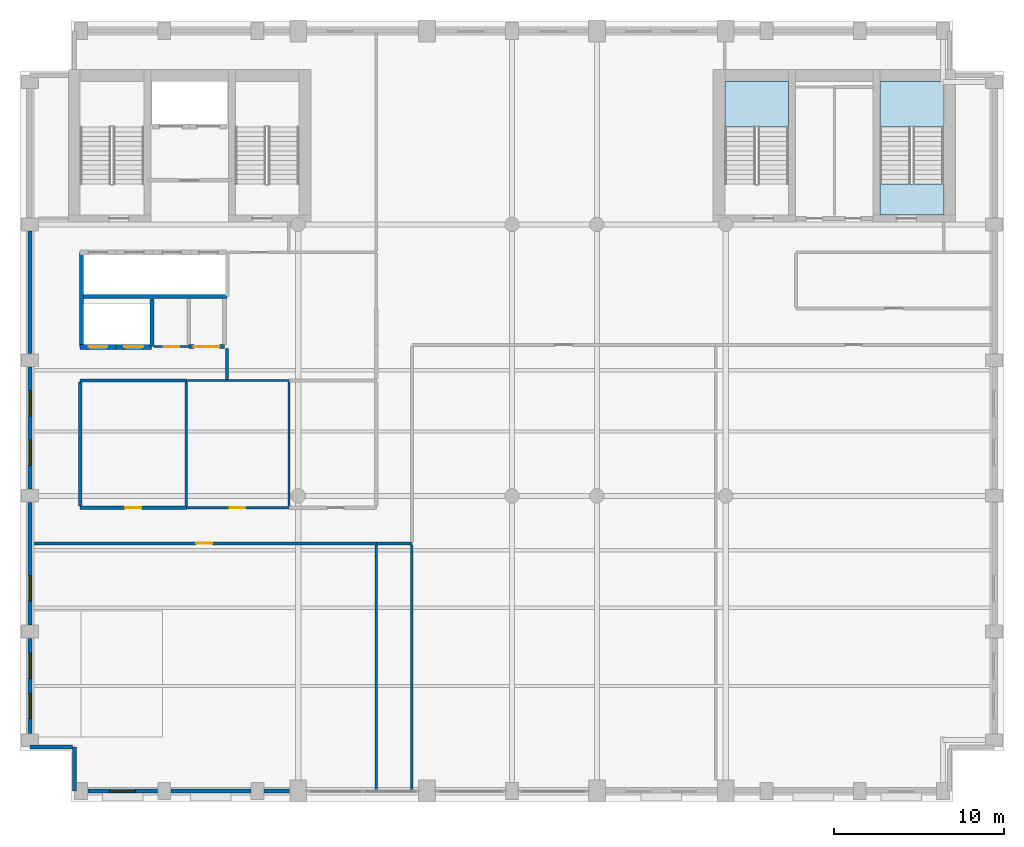
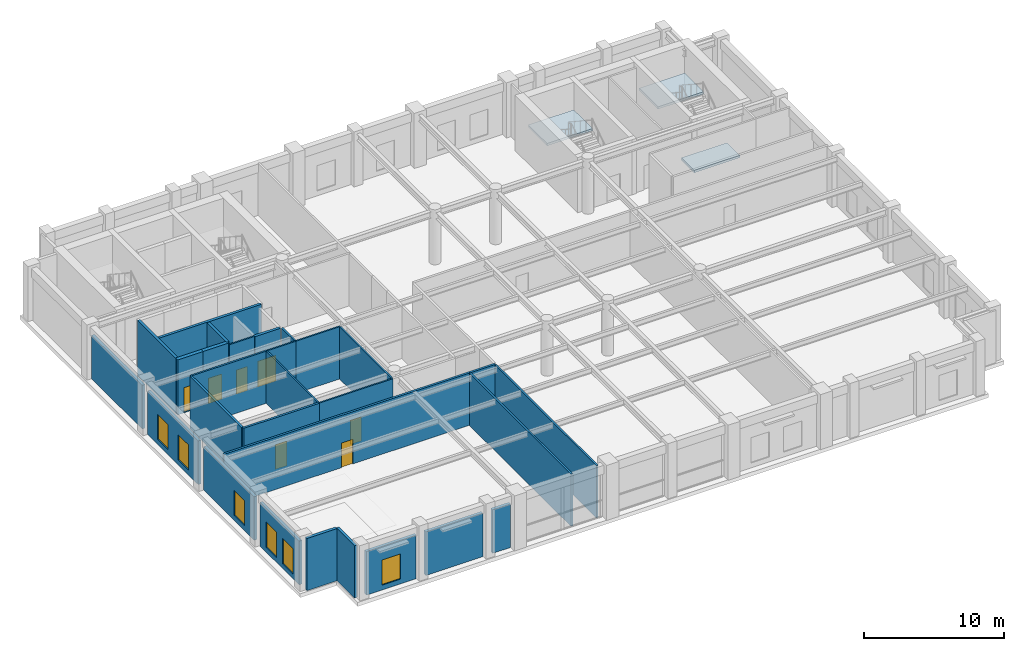
# One storey, part 4 of 10: 29 walls, 7 doors, 6 windows, 3 slabs, 13 openings, 2 elements without a shape of their own.
"""IFC4 building model written with IfcOpenShell, lengths in metres."""

from ifc_helpers import new_model, si_unit, direction, frame, frame_2d, origin, place, context, subcontext, project, spatial, polyline, rectangle, outline, extrude, material, layer, layer_set, type_object, element, fill, aggregate, save


model = new_model("IFC4")

# Units and contexts
model_context = context("Model", 3, precision=1e-05, world=origin(), true_north=direction((0.0, 1.0)))
body_context = subcontext(model_context, "Body", "Model", "MODEL_VIEW")
ifc_project = project(units=[si_unit("LENGTHUNIT", "METRE"), si_unit("AREAUNIT", "SQUARE_METRE"), si_unit("VOLUMEUNIT", "CUBIC_METRE"), si_unit("PLANEANGLEUNIT", "RADIAN"), si_unit("MASSUNIT", "GRAM", prefix="KILO")], contexts=[model_context])

# Site, building, storey
site_placement = place(None, origin())
site = spatial("IfcSite", under=ifc_project, at=site_placement, CompositionType="ELEMENT")
building_placement = place(site_placement, origin())
building = spatial("IfcBuilding", under=site, at=building_placement, Name="Sulina Concourse Tower", CompositionType="ELEMENT")
storey_placement = place(building_placement, frame((0.0, 0.0, 243.800048828125)))
storey = spatial("IfcBuildingStorey", under=building, at=storey_placement, Name="L59", CompositionType="ELEMENT", Elevation=243.800048828125)

# Slab
ifc_material_1 = material(Name="Concrete C50/60", Category="concrete")
ifc_layer_1 = layer(ifc_material_1, 0.199951171875)
ifc_layer_set_1 = layer_set([ifc_layer_1], Name="Concrete C50/60")
slab_type = type_object("IfcSlabType", Name="Primary Core Stair Landing Slab 200mm", PredefinedType="LANDING", material=ifc_layer_set_1)
slab_1_placement = place(storey_placement, frame((0.0, 0.0, -0.199951171875)))
element("IfcSlab", 1, at=slab_1_placement, inside=storey, type_object=slab_type, Name="L59 ST-4 floor landing slab", PredefinedType="LANDING", context=body_context, shape_type="SweptSolid", body=[
    extrude(outline(polyline([(54.449951171875, 34.550048828125), (54.449951171875, 36.375), (50.68994140625, 36.375), (50.68994140625, 34.550048828125), (54.449951171875, 34.550048828125)])), origin(), (0.0, 0.0, 1.0), 0.199951171875),
])

# Stair, slab
ifc_material_2 = material(Name="Concrete C50/60", Category="concrete")
stair_type = type_object("IfcStairType", Name="Portal & Podium Core Exit Stair 1820mm", PredefinedType="HALF_TURN_STAIR", material=ifc_material_2)
stair_1_placement = place(storey_placement, origin())
stair_1 = element("IfcStair", 2, at=stair_1_placement, inside=storey, type_object=stair_type, Name="L59 ST-3", PredefinedType="HALF_TURN_STAIR")
slab_2_placement = place(storey_placement, frame((0.0, 0.0, 2.199951171875)))
slab_2 = element("IfcSlab", 3, at=slab_2_placement, type_object=slab_type, Name="ST-3 landing 1", PredefinedType="LANDING", context=body_context, shape_type="SweptSolid", body=[
    extrude(outline(polyline([(45.304931640625, 39.735107421875), (45.304931640625, 42.425048828125), (41.554931640625, 42.425048828125), (41.554931640625, 39.735107421875), (45.304931640625, 39.735107421875)])), origin(), (0.0, 0.0, 1.0), 0.199951171875),
])
aggregate(stair_1, [slab_2])

stair_2_placement = place(storey_placement, origin())
stair_2 = element("IfcStair", 4, at=stair_2_placement, inside=storey, type_object=stair_type, Name="L59 ST-4", PredefinedType="HALF_TURN_STAIR")
slab_3_placement = place(storey_placement, frame((0.0, 0.0, 2.199951171875)))
slab_3 = element("IfcSlab", 5, at=slab_3_placement, type_object=slab_type, Name="ST-4 landing 1", PredefinedType="LANDING", context=body_context, shape_type="SweptSolid", body=[
    extrude(outline(polyline([(54.445068359375, 39.735107421875), (54.445068359375, 42.425048828125), (50.695068359375, 42.425048828125), (50.695068359375, 39.735107421875), (54.445068359375, 39.735107421875)])), origin(), (0.0, 0.0, 1.0), 0.199951171875),
])
aggregate(stair_2, [slab_3])

# Walls
ifc_material_3 = material(Name="Concrete C50/60", Category="concrete")
ifc_layer_2 = layer(ifc_material_3, 0.219970703125)
ifc_layer_set_2 = layer_set([ifc_layer_2], Name="Concrete C50/60")
wall_type_1 = type_object("IfcWallType", Name="Core Lift Hoistway Divider Wall 220mm", PredefinedType="SOLIDWALL", material=ifc_layer_set_2)
wall_1_placement = place(storey_placement, frame((3.550048828125, 29.75, 0.0), z_axis=(0.0, 0.0, 1.0), x_axis=(1.0, 0.0, 0.0)))
element("IfcWall", 6, at=wall_1_placement, inside=storey, type_object=wall_type_1, Name="L59 shaft divider wall HW-LP3-S", PredefinedType="SOLIDWALL", context=body_context, shape_type="SweptSolid", body=[
    extrude(rectangle(XDim=8.64990234375, YDim=0.219970703125, at=frame_2d((4.324951171875, 0.0))), origin(), (0.0, 0.0, 1.0), 4.800048828125),
])
wall_2_placement = place(storey_placement, frame((3.6298828125, 26.800048828125, 0.0), z_axis=(0.0, 0.0, 1.0), x_axis=(0.0, 1.0, 0.0)))
element("IfcWall", 7, at=wall_2_placement, inside=storey, type_object=wall_type_1, Name="L59 shaft divider wall HW-LP3-W", PredefinedType="SOLIDWALL", context=body_context, shape_type="SweptSolid", body=[
    extrude(rectangle(XDim=5.550048828125, YDim=0.219970703125, at=frame_2d((2.77490234375, 0.0))), origin(), (0.0, 0.0, 1.0), 4.800048828125),
])
wall_3_placement = place(storey_placement, frame((7.780029296875, 26.800048828125, 0.0), z_axis=(0.0, 0.0, 1.0), x_axis=(0.0, 1.0, 0.0)))
element("IfcWall", 8, at=wall_3_placement, inside=storey, type_object=wall_type_1, Name="L59 shaft divider wall HW-EXP-E", PredefinedType="SOLIDWALL", context=body_context, shape_type="SweptSolid", body=[
    extrude(rectangle(XDim=2.800048828125, YDim=0.219970703125, at=frame_2d((1.39990234375, 0.0))), origin(), (0.0, 0.0, 1.0), 4.800048828125),
])

# Wall, opening, door
ifc_material_4 = material(Name="Concrete C50/60", Category="concrete")
ifc_layer_3 = layer(ifc_material_4, 0.300048828125)
ifc_layer_set_3 = layer_set([ifc_layer_3], Name="Concrete C50/60")
wall_type_2 = type_object("IfcWallType", Name="Core Lift Hoistway Wall 300mm", PredefinedType="SOLIDWALL", material=ifc_layer_set_3)
wall_4_placement = place(storey_placement, frame((5.64990234375, 26.780029296875, 0.0), z_axis=(0.0, 0.0, 1.0), x_axis=(-1.0, 0.0, 0.0)))
wall_4 = element("IfcWall", 9, at=wall_4_placement, inside=storey, type_object=wall_type_2, Name="L59 hoistway enclosure wall EXP-1", PredefinedType="SOLIDWALL", context=body_context, shape_type="SweptSolid", body=[
    extrude(rectangle(XDim=2.099853515625, YDim=0.300048828125, at=frame_2d((1.0498046875, 0.0))), origin(), (0.0, 0.0, 1.0), 4.800048828125),
])
opening_1_placement = place(wall_4_placement, frame((0.5, 0.0, 0.0)))
opening_1 = element("IfcOpeningElement", 10, at=opening_1_placement, cuts=wall_4, Name="Opening LD-01", PredefinedType="OPENING", context=body_context, shape_type="SweptSolid", body=[
    extrude(rectangle(XDim=1.10009765625, YDim=2.199951171875, at=frame_2d((0.550048828125, 1.10009765625))), frame((0.0, 0.159912109375, 0.0), z_axis=(0.0, -1.0, 0.0), x_axis=(1.0, 0.0, 0.0)), (0.0, 0.0, 1.0), 0.320068359375),
])
ifc_material_5 = material(Name="Stainless steel lift landing door", Category="steel")
ifc_layer_4 = layer(ifc_material_5, 0.050048828125)
ifc_layer_set_4 = layer_set([ifc_layer_4], Name="Stainless steel lift landing door")
door_type_1 = type_object("IfcDoorType", Name="Passenger Lift Sliding Landing Door 1100x2200", OperationType="SLIDING_TO_LEFT", PredefinedType="DOOR", material=ifc_layer_set_4)
door_1_placement = place(opening_1_placement, origin())
door_1 = element("IfcDoor", 11, at=door_1_placement, inside=storey, type_object=door_type_1, Name="L59 lift landing sliding door EXP-1", OperationType="SLIDING_TO_LEFT", OverallHeight=2.199951171875, OverallWidth=1.10009765625, PredefinedType="DOOR", context=body_context, shape_type="SweptSolid", body=[
    extrude(rectangle(XDim=1.10009765625, YDim=2.199951171875, at=frame_2d((0.550048828125, 1.10009765625))), frame((0.0, 0.02490234375, 0.0), z_axis=(0.0, -1.0, 0.0), x_axis=(1.0, 0.0, 0.0)), (0.0, 0.0, 1.0), 0.050048828125),
])
fill(opening_1, door_1)

wall_5_placement = place(storey_placement, frame((7.75, 26.780029296875, 0.0), z_axis=(0.0, 0.0, 1.0), x_axis=(-1.0, 0.0, 0.0)))
wall_5 = element("IfcWall", 12, at=wall_5_placement, inside=storey, type_object=wall_type_2, Name="L59 hoistway enclosure wall EXP-2", PredefinedType="SOLIDWALL", context=body_context, shape_type="SweptSolid", body=[
    extrude(rectangle(XDim=2.10009765625, YDim=0.300048828125, at=frame_2d((1.050048828125, 0.0))), origin(), (0.0, 0.0, 1.0), 4.800048828125),
])
opening_2_placement = place(wall_5_placement, frame((0.5, 0.0, 0.0)))
opening_2 = element("IfcOpeningElement", 13, at=opening_2_placement, cuts=wall_5, Name="Opening LD-01", PredefinedType="OPENING", context=body_context, shape_type="SweptSolid", body=[
    extrude(rectangle(XDim=1.10009765625, YDim=2.199951171875, at=frame_2d((0.550048828125, 1.10009765625))), frame((0.0, 0.159912109375, 0.0), z_axis=(0.0, -1.0, 0.0), x_axis=(1.0, 0.0, 0.0)), (0.0, 0.0, 1.0), 0.320068359375),
])
door_2_placement = place(opening_2_placement, origin())
door_2 = element("IfcDoor", 14, at=door_2_placement, inside=storey, type_object=door_type_1, Name="L59 lift landing sliding door EXP-2", OperationType="SLIDING_TO_RIGHT", OverallHeight=2.199951171875, OverallWidth=1.10009765625, PredefinedType="DOOR", context=body_context, shape_type="SweptSolid", body=[
    extrude(rectangle(XDim=1.10009765625, YDim=2.199951171875, at=frame_2d((0.550048828125, 1.10009765625))), frame((0.0, 0.02490234375, 0.0), z_axis=(0.0, -1.0, 0.0), x_axis=(1.0, 0.0, 0.0)), (0.0, 0.0, 1.0), 0.050048828125),
])
fill(opening_2, door_2)

# Wall, opening, window
ifc_material_6 = material(Name="Precast concrete C50/60", Category="concrete")
ifc_layer_5 = layer(ifc_material_6, 0.239990234375)
ifc_layer_set_5 = layer_set([ifc_layer_5], Name="Precast concrete C50/60")
wall_type_3 = type_object("IfcWallType", Name="Crown Precast Masonry-Frame Facade Wall 240mm", PredefinedType="SOLIDWALL", material=ifc_layer_set_5)
wall_6_placement = place(storey_placement, frame((8.10498046875, 0.60009765625, 0.0), z_axis=(0.0, 0.0, 1.0), x_axis=(-1.0, 0.0, 0.0)))
wall_6 = element("IfcWall", 15, at=wall_6_placement, inside=storey, type_object=wall_type_3, Name="L59 exterior precast wall S1", PredefinedType="SOLIDWALL", context=body_context, shape_type="SweptSolid", body=[
    extrude(rectangle(XDim=4.10986328125, YDim=0.239990234375, at=frame_2d((2.054931640625, 0.0))), origin(), (0.0, 0.0, 1.0), 3.800048828125),
])
opening_3_placement = place(wall_6_placement, frame((1.304931640625, 0.0, 0.419921875)))
opening_3 = element("IfcOpeningElement", 16, at=opening_3_placement, cuts=wall_6, Name="Opening WN-71", PredefinedType="OPENING", context=body_context, shape_type="SweptSolid", body=[
    extrude(rectangle(XDim=1.5, YDim=2.199951171875, at=frame_2d((0.75, 1.10009765625))), frame((0.0, 0.1298828125, 0.0), z_axis=(0.0, -1.0, 0.0), x_axis=(1.0, 0.0, 0.0)), (0.0, 0.0, 1.0), 0.260009765625),
])
ifc_material_7 = material(Name="Low-E solar double glazing in bronze aluminium", Category="aluminium")
window_type = type_object("IfcWindowType", Name="Punched Masonry-Frame Window 1500x2200", PartitioningType="SINGLE_PANEL", PredefinedType="WINDOW", material=ifc_material_7)
window_1_placement = place(opening_3_placement, origin())
window_1 = element("IfcWindow", 17, at=window_1_placement, inside=storey, type_object=window_type, Name="L59 punched window S1-1", OverallHeight=2.199951171875, OverallWidth=1.5, PartitioningType="SINGLE_PANEL", PredefinedType="WINDOW", context=body_context, shape_type="SweptSolid", body=[
    extrude(rectangle(XDim=1.5, YDim=2.199951171875, at=frame_2d((0.75, 1.10009765625))), frame((0.0, 0.030029296875, 0.0), z_axis=(0.0, -1.0, 0.0), x_axis=(1.0, 0.0, 0.0)), (0.0, 0.0, 1.0), 0.06005859375),
])
fill(opening_3, window_1)

# Walls
wall_7_placement = place(storey_placement, frame((13.60498046875, 0.60009765625, 0.0), z_axis=(0.0, 0.0, 1.0), x_axis=(-1.0, 0.0, 0.0)))
element("IfcWall", 18, at=wall_7_placement, inside=storey, type_object=wall_type_3, Name="L59 exterior precast wall S2", PredefinedType="SOLIDWALL", context=body_context, shape_type="SweptSolid", body=[
    extrude(rectangle(XDim=4.7099609375, YDim=0.239990234375, at=frame_2d((2.35498046875, 0.0))), origin(), (0.0, 0.0, 1.0), 3.800048828125),
])
wall_8_placement = place(storey_placement, frame((15.8798828125, 0.60009765625, 0.0), z_axis=(0.0, 0.0, 1.0), x_axis=(-1.0, 0.0, 0.0)))
element("IfcWall", 19, at=wall_8_placement, inside=storey, type_object=wall_type_3, Name="L59 exterior precast wall S3", PredefinedType="SOLIDWALL", context=body_context, shape_type="SweptSolid", body=[
    extrude(rectangle(XDim=1.48486328125, YDim=0.239990234375, at=frame_2d((0.742431640625, 0.0))), origin(), (0.0, 0.0, 1.0), 3.800048828125),
])

# Wall, openings, windows
wall_9_placement = place(storey_placement, frame((0.60009765625, 3.9951171875, 0.0), z_axis=(0.0, 0.0, 1.0), x_axis=(0.0, 1.0, 0.0)))
wall_9 = element("IfcWall", 20, at=wall_9_placement, inside=storey, type_object=wall_type_3, Name="L59 exterior precast wall W1", PredefinedType="SOLIDWALL", context=body_context, shape_type="SweptSolid", body=[
    extrude(rectangle(XDim=5.60986328125, YDim=0.239990234375, at=frame_2d((2.804931640625, 0.0))), origin(), (0.0, 0.0, 1.0), 3.800048828125),
])
opening_4_placement = place(wall_9_placement, frame((0.8701171875, 0.0, 0.419921875)))
opening_4 = element("IfcOpeningElement", 21, at=opening_4_placement, cuts=wall_9, Name="Opening WN-71", PredefinedType="OPENING", context=body_context, shape_type="SweptSolid", body=[
    extrude(rectangle(XDim=1.5, YDim=2.199951171875, at=frame_2d((0.75, 1.10009765625))), frame((0.0, 0.1298828125, 0.0), z_axis=(0.0, -1.0, 0.0), x_axis=(1.0, 0.0, 0.0)), (0.0, 0.0, 1.0), 0.260009765625),
])
opening_5_placement = place(wall_9_placement, frame((3.239990234375, 0.0, 0.419921875)))
opening_5 = element("IfcOpeningElement", 22, at=opening_5_placement, cuts=wall_9, Name="Opening WN-71", PredefinedType="OPENING", context=body_context, shape_type="SweptSolid", body=[
    extrude(rectangle(XDim=1.5, YDim=2.199951171875, at=frame_2d((0.75, 1.10009765625))), frame((0.0, 0.1298828125, 0.0), z_axis=(0.0, -1.0, 0.0), x_axis=(1.0, 0.0, 0.0)), (0.0, 0.0, 1.0), 0.260009765625),
])
window_2_placement = place(opening_4_placement, origin())
window_2 = element("IfcWindow", 23, at=window_2_placement, inside=storey, type_object=window_type, Name="L59 punched window W1-1", OverallHeight=2.199951171875, OverallWidth=1.5, PartitioningType="SINGLE_PANEL", PredefinedType="WINDOW", context=body_context, shape_type="SweptSolid", body=[
    extrude(rectangle(XDim=1.5, YDim=2.199951171875, at=frame_2d((0.75, 1.10009765625))), frame((0.0, 0.030029296875, 0.0), z_axis=(0.0, -1.0, 0.0), x_axis=(1.0, 0.0, 0.0)), (0.0, 0.0, 1.0), 0.06005859375),
])
fill(opening_4, window_2)
window_3_placement = place(opening_5_placement, origin())
window_3 = element("IfcWindow", 24, at=window_3_placement, inside=storey, type_object=window_type, Name="L59 punched window W1-2", OverallHeight=2.199951171875, OverallWidth=1.5, PartitioningType="SINGLE_PANEL", PredefinedType="WINDOW", context=body_context, shape_type="SweptSolid", body=[
    extrude(rectangle(XDim=1.5, YDim=2.199951171875, at=frame_2d((0.75, 1.10009765625))), frame((0.0, 0.030029296875, 0.0), z_axis=(0.0, -1.0, 0.0), x_axis=(1.0, 0.0, 0.0)), (0.0, 0.0, 1.0), 0.06005859375),
])
fill(opening_5, window_3)

# Wall, opening, window
wall_10_placement = place(storey_placement, frame((0.60009765625, 10.39501953125, 0.0), z_axis=(0.0, 0.0, 1.0), x_axis=(0.0, 1.0, 0.0)))
wall_10 = element("IfcWall", 25, at=wall_10_placement, inside=storey, type_object=wall_type_3, Name="L59 exterior precast wall W2", PredefinedType="SOLIDWALL", context=body_context, shape_type="SweptSolid", body=[
    extrude(rectangle(XDim=7.2099609375, YDim=0.239990234375, at=frame_2d((3.60498046875, 0.0))), origin(), (0.0, 0.0, 1.0), 3.800048828125),
])
opening_6_placement = place(wall_10_placement, frame((1.4033203125, 0.0, 0.419921875)))
opening_6 = element("IfcOpeningElement", 26, at=opening_6_placement, cuts=wall_10, Name="Opening WN-71", PredefinedType="OPENING", context=body_context, shape_type="SweptSolid", body=[
    extrude(rectangle(XDim=1.5, YDim=2.199951171875, at=frame_2d((0.75, 1.10009765625))), frame((0.0, 0.1298828125, 0.0), z_axis=(0.0, -1.0, 0.0), x_axis=(1.0, 0.0, 0.0)), (0.0, 0.0, 1.0), 0.260009765625),
])
window_4_placement = place(opening_6_placement, origin())
window_4 = element("IfcWindow", 27, at=window_4_placement, inside=storey, type_object=window_type, Name="L59 punched window W2-1", OverallHeight=2.199951171875, OverallWidth=1.5, PartitioningType="SINGLE_PANEL", PredefinedType="WINDOW", context=body_context, shape_type="SweptSolid", body=[
    extrude(rectangle(XDim=1.5, YDim=2.199951171875, at=frame_2d((0.75, 1.10009765625))), frame((0.0, 0.030029296875, 0.0), z_axis=(0.0, -1.0, 0.0), x_axis=(1.0, 0.0, 0.0)), (0.0, 0.0, 1.0), 0.06005859375),
])
fill(opening_6, window_4)

# Wall, openings, windows
wall_11_placement = place(storey_placement, frame((0.60009765625, 18.39501953125, 0.0), z_axis=(0.0, 0.0, 1.0), x_axis=(0.0, 1.0, 0.0)))
wall_11 = element("IfcWall", 28, at=wall_11_placement, inside=storey, type_object=wall_type_3, Name="L59 exterior precast wall W3", PredefinedType="SOLIDWALL", context=body_context, shape_type="SweptSolid", body=[
    extrude(rectangle(XDim=7.2099609375, YDim=0.239990234375, at=frame_2d((3.60498046875, 0.0))), origin(), (0.0, 0.0, 1.0), 3.800048828125),
])
opening_7_placement = place(wall_11_placement, frame((1.4033203125, 0.0, 0.419921875)))
opening_7 = element("IfcOpeningElement", 29, at=opening_7_placement, cuts=wall_11, Name="Opening WN-71", PredefinedType="OPENING", context=body_context, shape_type="SweptSolid", body=[
    extrude(rectangle(XDim=1.5, YDim=2.199951171875, at=frame_2d((0.75, 1.10009765625))), frame((0.0, 0.1298828125, 0.0), z_axis=(0.0, -1.0, 0.0), x_axis=(1.0, 0.0, 0.0)), (0.0, 0.0, 1.0), 0.260009765625),
])
opening_8_placement = place(wall_11_placement, frame((4.306640625, 0.0, 0.419921875)))
opening_8 = element("IfcOpeningElement", 30, at=opening_8_placement, cuts=wall_11, Name="Opening WN-71", PredefinedType="OPENING", context=body_context, shape_type="SweptSolid", body=[
    extrude(rectangle(XDim=1.5, YDim=2.199951171875, at=frame_2d((0.75, 1.10009765625))), frame((0.0, 0.1298828125, 0.0), z_axis=(0.0, -1.0, 0.0), x_axis=(1.0, 0.0, 0.0)), (0.0, 0.0, 1.0), 0.260009765625),
])
window_5_placement = place(opening_7_placement, origin())
window_5 = element("IfcWindow", 31, at=window_5_placement, inside=storey, type_object=window_type, Name="L59 punched window W3-1", OverallHeight=2.199951171875, OverallWidth=1.5, PartitioningType="SINGLE_PANEL", PredefinedType="WINDOW", context=body_context, shape_type="SweptSolid", body=[
    extrude(rectangle(XDim=1.5, YDim=2.199951171875, at=frame_2d((0.75, 1.10009765625))), frame((0.0, 0.030029296875, 0.0), z_axis=(0.0, -1.0, 0.0), x_axis=(1.0, 0.0, 0.0)), (0.0, 0.0, 1.0), 0.06005859375),
])
fill(opening_7, window_5)
window_6_placement = place(opening_8_placement, origin())
window_6 = element("IfcWindow", 32, at=window_6_placement, inside=storey, type_object=window_type, Name="L59 punched window W3-2", OverallHeight=2.199951171875, OverallWidth=1.5, PartitioningType="SINGLE_PANEL", PredefinedType="WINDOW", context=body_context, shape_type="SweptSolid", body=[
    extrude(rectangle(XDim=1.5, YDim=2.199951171875, at=frame_2d((0.75, 1.10009765625))), frame((0.0, 0.030029296875, 0.0), z_axis=(0.0, -1.0, 0.0), x_axis=(1.0, 0.0, 0.0)), (0.0, 0.0, 1.0), 0.06005859375),
])
fill(opening_8, window_6)

# Walls
wall_12_placement = place(storey_placement, frame((0.60009765625, 26.39501953125, 0.0), z_axis=(0.0, 0.0, 1.0), x_axis=(0.0, 1.0, 0.0)))
element("IfcWall", 33, at=wall_12_placement, inside=storey, type_object=wall_type_3, Name="L59 exterior precast wall W4", PredefinedType="SOLIDWALL", context=body_context, shape_type="SweptSolid", body=[
    extrude(rectangle(XDim=7.2099609375, YDim=0.239990234375, at=frame_2d((3.60498046875, 0.0))), origin(), (0.0, 0.0, 1.0), 3.800048828125),
])
wall_13_placement = place(storey_placement, frame((3.205078125, 0.60009765625, 0.0), z_axis=(0.0, 0.0, 1.0), x_axis=(0.0, 1.0, 0.0)))
element("IfcWall", 34, at=wall_13_placement, inside=storey, type_object=wall_type_3, Name="L59 exterior precast wall CSW1", PredefinedType="SOLIDWALL", context=body_context, shape_type="SweptSolid", body=[
    extrude(rectangle(XDim=2.60498046875, YDim=0.239990234375, at=frame_2d((1.302490234375, 0.0))), origin(), (0.0, 0.0, 1.0), 4.550048828125),
])
wall_14_placement = place(storey_placement, frame((3.080078125, 3.205078125, 0.0), z_axis=(0.0, 0.0, 1.0), x_axis=(-1.0, 0.0, 0.0)))
element("IfcWall", 35, at=wall_14_placement, inside=storey, type_object=wall_type_3, Name="L59 exterior precast wall CSW2", PredefinedType="SOLIDWALL", context=body_context, shape_type="SweptSolid", body=[
    extrude(rectangle(XDim=2.47998046875, YDim=0.239990234375, at=frame_2d((1.239990234375, 0.0))), origin(), (0.0, 0.0, 1.0), 4.550048828125),
])

# Wall, opening, door
ifc_material_8 = material(Name="Gypsum board on steel stud", Category="steel")
ifc_layer_6 = layer(ifc_material_8, 0.219970703125)
ifc_layer_set_6 = layer_set([ifc_layer_6], Name="Gypsum board on steel stud")
wall_type_4 = type_object("IfcWallType", Name="Fire-Rated Lobby & Compartment Wall 220mm", PredefinedType="PARTITIONING", material=ifc_layer_set_6)
wall_15_placement = place(storey_placement, frame((9.949951171875, 26.800048828125, 0.0), z_axis=(0.0, 0.0, 1.0), x_axis=(1.0, 0.0, 0.0)))
wall_15 = element("IfcWall", 36, at=wall_15_placement, inside=storey, type_object=wall_type_4, Name="L59 interior partition 011", PredefinedType="PARTITIONING", context=body_context, shape_type="SweptSolid", body=[
    extrude(rectangle(XDim=2.10009765625, YDim=0.219970703125, at=frame_2d((1.050048828125, 0.0))), origin(), (0.0, 0.0, 1.0), 4.550048828125),
])
opening_9_placement = place(wall_15_placement, frame((0.300048828125, 0.0, 0.0)))
opening_9 = element("IfcOpeningElement", 37, at=opening_9_placement, cuts=wall_15, Name="Opening DR-80", PredefinedType="OPENING", context=body_context, shape_type="SweptSolid", body=[
    extrude(rectangle(XDim=1.5, YDim=2.25, at=frame_2d((0.75, 1.125))), frame((0.0, 0.119873046875, 0.0), z_axis=(0.0, -1.0, 0.0), x_axis=(1.0, 0.0, 0.0)), (0.0, 0.0, 1.0), 0.239990234375),
])
ifc_material_9 = material(Name="Galvanised steel acoustic fire leaf", Category="steel")
ifc_layer_7 = layer(ifc_material_9, 0.054931640625)
ifc_layer_set_7 = layer_set([ifc_layer_7], Name="Galvanised steel acoustic fire leaf")
door_type_2 = type_object("IfcDoorType", Name="Mechanical Plant Double Fire Door 1500x2250", OperationType="DOUBLE_DOOR_SINGLE_SWING", PredefinedType="DOOR", material=ifc_layer_set_7)
door_3_placement = place(opening_9_placement, origin())
door_3 = element("IfcDoor", 38, at=door_3_placement, inside=storey, type_object=door_type_2, Name="L59 interior door L59-IT-IDF", OperationType="DOUBLE_DOOR_SINGLE_SWING", OverallHeight=2.25, OverallWidth=1.5, PredefinedType="DOOR", context=body_context, shape_type="SweptSolid", body=[
    extrude(rectangle(XDim=1.5, YDim=2.25, at=frame_2d((0.75, 1.125))), frame((0.0, 0.02490234375, 0.0), z_axis=(0.0, -1.0, 0.0), x_axis=(1.0, 0.0, 0.0)), (0.0, 0.0, 1.0), 0.050048828125),
])
fill(opening_9, door_3)

# Walls
ifc_material_10 = material(Name="Gypsum board on steel stud", Category="steel")
ifc_layer_8 = layer(ifc_material_10, 0.14990234375)
ifc_layer_set_8 = layer_set([ifc_layer_8], Name="Gypsum board on steel stud")
wall_type_5 = type_object("IfcWallType", Name="Inter-Tenancy Acoustic Partition 150mm", PredefinedType="PARTITIONING", material=ifc_layer_set_8)
wall_16_placement = place(storey_placement, frame((3.550048828125, 24.800048828125, 0.0), z_axis=(0.0, 0.0, 1.0), x_axis=(1.0, 0.0, 0.0)))
element("IfcWall", 39, at=wall_16_placement, inside=storey, type_object=wall_type_5, Name="L59 interior partition 006", PredefinedType="PARTITIONING", context=body_context, shape_type="SweptSolid", body=[
    extrude(rectangle(XDim=6.25, YDim=0.14990234375, at=frame_2d((3.125, 0.0))), origin(), (0.0, 0.0, 1.0), 4.550048828125),
])
wall_17_placement = place(storey_placement, frame((12.199951171875, 24.862548828125, 0.0), z_axis=(0.0, 0.0, 1.0), x_axis=(0.0, 1.0, 0.0)))
element("IfcWall", 40, at=wall_17_placement, inside=storey, type_object=wall_type_5, Name="L59 interior partition 026", PredefinedType="PARTITIONING", context=body_context, shape_type="SweptSolid", body=[
    extrude(rectangle(XDim=1.827392578125, YDim=0.14990234375, at=frame_2d((0.91357421875, 0.0))), origin(), (0.0, 0.0, 1.0), 4.550048828125),
])
for number, where, z_axis, x_axis, name in (
    (41, (21.0, 0.60009765625, 0.0), (0.0, 0.0, 1.0), (0.0, 1.0, 0.0), "L59 interior partition 029"),
    (42, (23.10009765625, 0.60009765625, 0.0), (0.0, 0.0, 1.0), (0.0, 1.0, 0.0), "L59 interior partition 035"),
):
    element("IfcWall", number, at=place(storey_placement, frame(where, z_axis=z_axis, x_axis=x_axis)), inside=storey, type_object=wall_type_5, Name=name, PredefinedType="PARTITIONING", context=body_context, shape_type="SweptSolid", body=[
        extrude(rectangle(XDim=14.510009765625, YDim=0.14990234375, at=frame_2d((7.2548828125, 0.0))), origin(), (0.0, 0.0, 1.0), 4.550048828125),
    ])

# Wall, opening, door
ifc_material_11 = material(Name="Gypsum board on steel stud", Category="steel")
ifc_layer_9 = layer(ifc_material_11, 0.179931640625)
ifc_layer_set_9 = layer_set([ifc_layer_9], Name="Gypsum board on steel stud")
wall_type_6 = type_object("IfcWallType", Name="Protected Corridor & Riser Partition 180mm", PredefinedType="PARTITIONING", material=ifc_layer_set_9)
wall_18_placement = place(storey_placement, frame((0.719970703125, 15.199951171875, 0.0), z_axis=(0.0, 0.0, 1.0), x_axis=(1.0, 0.0, 0.0)))
wall_18 = element("IfcWall", 43, at=wall_18_placement, inside=storey, type_object=wall_type_6, Name="L59 interior partition 001", PredefinedType="PARTITIONING", context=body_context, shape_type="SweptSolid", body=[
    extrude(rectangle(XDim=20.280029296875, YDim=0.179931640625, at=frame_2d((10.14013671875, 0.0))), origin(), (0.0, 0.0, 1.0), 4.550048828125),
])
opening_10_placement = place(wall_18_placement, frame((9.6650390625, 0.0, 0.0)))
opening_10 = element("IfcOpeningElement", 44, at=opening_10_placement, cuts=wall_18, Name="Opening DR-19", PredefinedType="OPENING", context=body_context, shape_type="SweptSolid", body=[
    extrude(rectangle(XDim=0.949951171875, YDim=2.14990234375, at=frame_2d((0.47509765625, 1.074951171875))), frame((0.0, 0.099853515625, 0.0), z_axis=(0.0, -1.0, 0.0), x_axis=(1.0, 0.0, 0.0)), (0.0, 0.0, 1.0), 0.199951171875),
])
ifc_material_12 = material(Name="Oak-veneered acoustic timber leaf", Category="wood")
ifc_layer_10 = layer(ifc_material_12, 0.050048828125)
ifc_layer_set_10 = layer_set([ifc_layer_10], Name="Oak-veneered acoustic timber leaf")
door_type_3 = type_object("IfcDoorType", Name="Cellular Office & Meeting Door 950x2150", OperationType="NOTDEFINED", PredefinedType="DOOR", material=ifc_layer_set_10)
door_4_placement = place(opening_10_placement, origin())
door_4 = element("IfcDoor", 45, at=door_4_placement, inside=storey, type_object=door_type_3, Name="L59 interior door L59-DIN-SL1", OperationType="SINGLE_SWING_RIGHT", OverallHeight=2.14990234375, OverallWidth=0.949951171875, PredefinedType="DOOR", context=body_context, shape_type="SweptSolid", body=[
    extrude(rectangle(XDim=0.949951171875, YDim=2.14990234375, at=frame_2d((0.47509765625, 1.074951171875))), frame((0.0, 0.02490234375, 0.0), z_axis=(0.0, -1.0, 0.0), x_axis=(1.0, 0.0, 0.0)), (0.0, 0.0, 1.0), 0.050048828125),
])
fill(opening_10, door_4)

# Wall
wall_19_placement = place(storey_placement, frame((21.0, 15.199951171875, 0.0), z_axis=(0.0, 0.0, 1.0), x_axis=(1.0, 0.0, 0.0)))
element("IfcWall", 46, at=wall_19_placement, inside=storey, type_object=wall_type_6, Name="L59 interior partition 002", PredefinedType="PARTITIONING", context=body_context, shape_type="SweptSolid", body=[
    extrude(rectangle(XDim=2.10009765625, YDim=0.179931640625, at=frame_2d((1.050048828125, 0.0))), origin(), (0.0, 0.0, 1.0), 4.550048828125),
])

# Wall, opening, door
wall_20_placement = place(storey_placement, frame((3.550048828125, 17.300048828125, 0.0), z_axis=(0.0, 0.0, 1.0), x_axis=(1.0, 0.0, 0.0)))
wall_20 = element("IfcWall", 47, at=wall_20_placement, inside=storey, type_object=wall_type_6, Name="L59 interior partition 003", PredefinedType="PARTITIONING", context=body_context, shape_type="SweptSolid", body=[
    extrude(rectangle(XDim=6.25, YDim=0.179931640625, at=frame_2d((3.125, 0.0))), origin(), (0.0, 0.0, 1.0), 4.550048828125),
])
opening_11_placement = place(wall_20_placement, frame((2.64990234375, 0.0, 0.0)))
opening_11 = element("IfcOpeningElement", 48, at=opening_11_placement, cuts=wall_20, Name="Opening DR-19", PredefinedType="OPENING", context=body_context, shape_type="SweptSolid", body=[
    extrude(rectangle(XDim=0.949951171875, YDim=2.14990234375, at=frame_2d((0.47509765625, 1.074951171875))), frame((0.0, 0.099853515625, 0.0), z_axis=(0.0, -1.0, 0.0), x_axis=(1.0, 0.0, 0.0)), (0.0, 0.0, 1.0), 0.199951171875),
])
door_5_placement = place(opening_11_placement, origin())
door_5 = element("IfcDoor", 49, at=door_5_placement, inside=storey, type_object=door_type_3, Name="L59 interior door L59-LR-MRG1", OperationType="SINGLE_SWING_LEFT", OverallHeight=2.14990234375, OverallWidth=0.949951171875, PredefinedType="DOOR", context=body_context, shape_type="SweptSolid", body=[
    extrude(rectangle(XDim=0.949951171875, YDim=2.14990234375, at=frame_2d((0.47509765625, 1.074951171875))), frame((0.0, 0.02490234375, 0.0), z_axis=(0.0, -1.0, 0.0), x_axis=(1.0, 0.0, 0.0)), (0.0, 0.0, 1.0), 0.050048828125),
])
fill(opening_11, door_5)

# Wall
wall_21_placement = place(storey_placement, frame((3.550048828125, 17.389892578125, 0.0), z_axis=(0.0, 0.0, 1.0), x_axis=(0.0, 1.0, 0.0)))
element("IfcWall", 50, at=wall_21_placement, inside=storey, type_object=wall_type_6, Name="L59 interior partition 022", PredefinedType="PARTITIONING", context=body_context, shape_type="SweptSolid", body=[
    extrude(rectangle(XDim=7.335205078125, YDim=0.179931640625, at=frame_2d((3.66748046875, 0.0))), origin(), (0.0, 0.0, 1.0), 4.550048828125),
])

# Wall, opening, door
ifc_material_13 = material(Name="Gypsum board on steel stud", Category="steel")
ifc_layer_11 = layer(ifc_material_13, 0.125)
ifc_layer_set_11 = layer_set([ifc_layer_11], Name="Gypsum board on steel stud")
wall_type_7 = type_object("IfcWallType", Name="Wet-Area Moisture-Resistant Partition 125mm", PredefinedType="PARTITIONING", material=ifc_layer_set_11)
wall_22_placement = place(storey_placement, frame((9.800048828125, 17.300048828125, 0.0), z_axis=(0.0, 0.0, 1.0), x_axis=(1.0, 0.0, 0.0)))
wall_22 = element("IfcWall", 51, at=wall_22_placement, inside=storey, type_object=wall_type_7, Name="L59 interior partition 004", PredefinedType="PARTITIONING", context=body_context, shape_type="SweptSolid", body=[
    extrude(rectangle(XDim=6.050048828125, YDim=0.125, at=frame_2d((3.02490234375, 0.0))), origin(), (0.0, 0.0, 1.0), 4.550048828125),
])
opening_12_placement = place(wall_22_placement, frame((2.574951171875, 0.0, 0.0)))
opening_12 = element("IfcOpeningElement", 52, at=opening_12_placement, cuts=wall_22, Name="Opening DR-21", PredefinedType="OPENING", context=body_context, shape_type="SweptSolid", body=[
    extrude(rectangle(XDim=0.89990234375, YDim=2.10009765625, at=frame_2d((0.449951171875, 1.050048828125))), frame((0.0, 0.072509765625, 0.0), z_axis=(0.0, -1.0, 0.0), x_axis=(1.0, 0.0, 0.0)), (0.0, 0.0, 1.0), 0.14501953125),
])
ifc_material_14 = material(Name="Oak-veneered fire door leaf")
ifc_layer_12 = layer(ifc_material_14, 0.050048828125)
ifc_layer_set_12 = layer_set([ifc_layer_12], Name="Oak-veneered fire door leaf")
door_type_4 = type_object("IfcDoorType", Name="Restroom & Service Door 900x2100", OperationType="NOTDEFINED", PredefinedType="DOOR", material=ifc_layer_set_12)
door_6_placement = place(opening_12_placement, origin())
door_6 = element("IfcDoor", 53, at=door_6_placement, inside=storey, type_object=door_type_4, Name="L59 interior door L59-LR-MRG2", OperationType="SINGLE_SWING_RIGHT", OverallHeight=2.10009765625, OverallWidth=0.89990234375, PredefinedType="DOOR", context=body_context, shape_type="SweptSolid", body=[
    extrude(rectangle(XDim=0.89990234375, YDim=2.10009765625, at=frame_2d((0.449951171875, 1.050048828125))), frame((0.0, 0.02490234375, 0.0), z_axis=(0.0, -1.0, 0.0), x_axis=(1.0, 0.0, 0.0)), (0.0, 0.0, 1.0), 0.050048828125),
])
fill(opening_12, door_6)

# Walls
wall_23_placement = place(storey_placement, frame((9.800048828125, 24.800048828125, 0.0), z_axis=(0.0, 0.0, 1.0), x_axis=(1.0, 0.0, 0.0)))
element("IfcWall", 54, at=wall_23_placement, inside=storey, type_object=wall_type_7, Name="L59 interior partition 007", PredefinedType="PARTITIONING", context=body_context, shape_type="SweptSolid", body=[
    extrude(rectangle(XDim=2.39990234375, YDim=0.125, at=frame_2d((1.199951171875, 0.0))), origin(), (0.0, 0.0, 1.0), 4.550048828125),
])
wall_24_placement = place(storey_placement, frame((12.199951171875, 24.800048828125, 0.0), z_axis=(0.0, 0.0, 1.0), x_axis=(1.0, 0.0, 0.0)))
element("IfcWall", 55, at=wall_24_placement, inside=storey, type_object=wall_type_7, Name="L59 interior partition 008", PredefinedType="PARTITIONING", context=body_context, shape_type="SweptSolid", body=[
    extrude(rectangle(XDim=3.650146484375, YDim=0.125, at=frame_2d((1.8251953125, 0.0))), origin(), (0.0, 0.0, 1.0), 4.550048828125),
])

# Wall, opening, door
wall_25_placement = place(storey_placement, frame((7.889892578125, 26.800048828125, 0.0), z_axis=(0.0, 0.0, 1.0), x_axis=(1.0, 0.0, 0.0)))
wall_25 = element("IfcWall", 56, at=wall_25_placement, inside=storey, type_object=wall_type_7, Name="L59 interior partition 010", PredefinedType="PARTITIONING", context=body_context, shape_type="SweptSolid", body=[
    extrude(rectangle(XDim=2.06005859375, YDim=0.125, at=frame_2d((1.030029296875, 0.0))), origin(), (0.0, 0.0, 1.0), 4.550048828125),
])
opening_13_placement = place(wall_25_placement, frame((0.570068359375, 0.0, 0.0)))
opening_13 = element("IfcOpeningElement", 57, at=opening_13_placement, cuts=wall_25, Name="Opening DR-61", PredefinedType="OPENING", context=body_context, shape_type="SweptSolid", body=[
    extrude(rectangle(XDim=0.919921875, YDim=2.10009765625, at=frame_2d((0.4599609375, 1.050048828125))), frame((0.0, 0.072509765625, 0.0), z_axis=(0.0, -1.0, 0.0), x_axis=(1.0, 0.0, 0.0)), (0.0, 0.0, 1.0), 0.14501953125),
])
ifc_material_15 = material(Name="Oak-veneered fire door leaf")
ifc_layer_13 = layer(ifc_material_15, 0.050048828125)
ifc_layer_set_13 = layer_set([ifc_layer_13], Name="Oak-veneered fire door leaf")
door_type_5 = type_object("IfcDoorType", Name="Accessible WC Door 920x2100", OperationType="NOTDEFINED", PredefinedType="DOOR", material=ifc_layer_set_13)
door_7_placement = place(opening_13_placement, origin())
door_7 = element("IfcDoor", 58, at=door_7_placement, inside=storey, type_object=door_type_5, Name="L59 interior door L59-WC-ACC", OperationType="SINGLE_SWING_RIGHT", OverallHeight=2.10009765625, OverallWidth=0.919921875, PredefinedType="DOOR", context=body_context, shape_type="SweptSolid", body=[
    extrude(rectangle(XDim=0.919921875, YDim=2.10009765625, at=frame_2d((0.4599609375, 1.050048828125))), frame((0.0, 0.02490234375, 0.0), z_axis=(0.0, -1.0, 0.0), x_axis=(1.0, 0.0, 0.0)), (0.0, 0.0, 1.0), 0.050048828125),
])
fill(opening_13, door_7)

# Walls
for number, where, z_axis, x_axis, name in (
    (59, (9.800048828125, 17.389892578125, 0.0), (0.0, 0.0, 1.0), (0.0, 1.0, 0.0), "L59 interior partition 023"),
    (60, (15.85009765625, 17.389892578125, 0.0), (0.0, 0.0, 1.0), (0.0, 1.0, 0.0), "L59 interior partition 027"),
):
    element("IfcWall", number, at=place(storey_placement, frame(where, z_axis=z_axis, x_axis=x_axis)), inside=storey, type_object=wall_type_7, Name=name, PredefinedType="PARTITIONING", context=body_context, shape_type="SweptSolid", body=[
        extrude(rectangle(XDim=7.335205078125, YDim=0.125, at=frame_2d((3.66748046875, 0.0))), origin(), (0.0, 0.0, 1.0), 4.550048828125),
    ])

save(model, "model.ifc")
